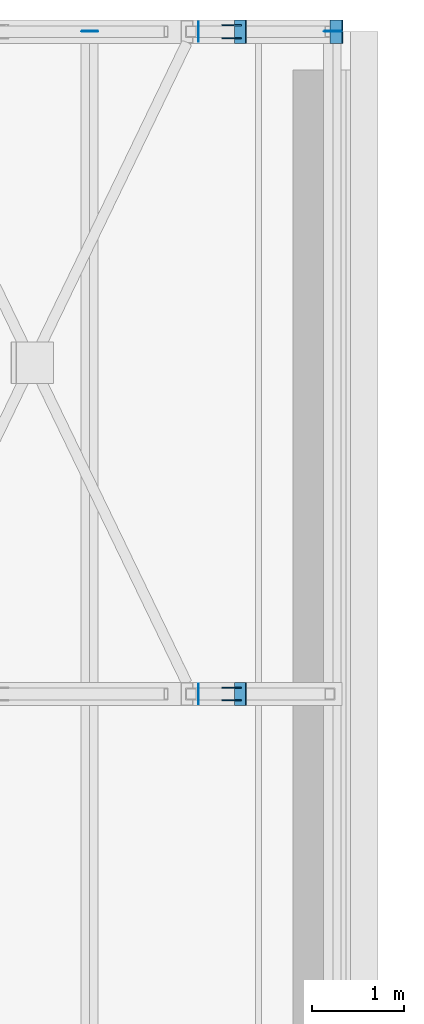
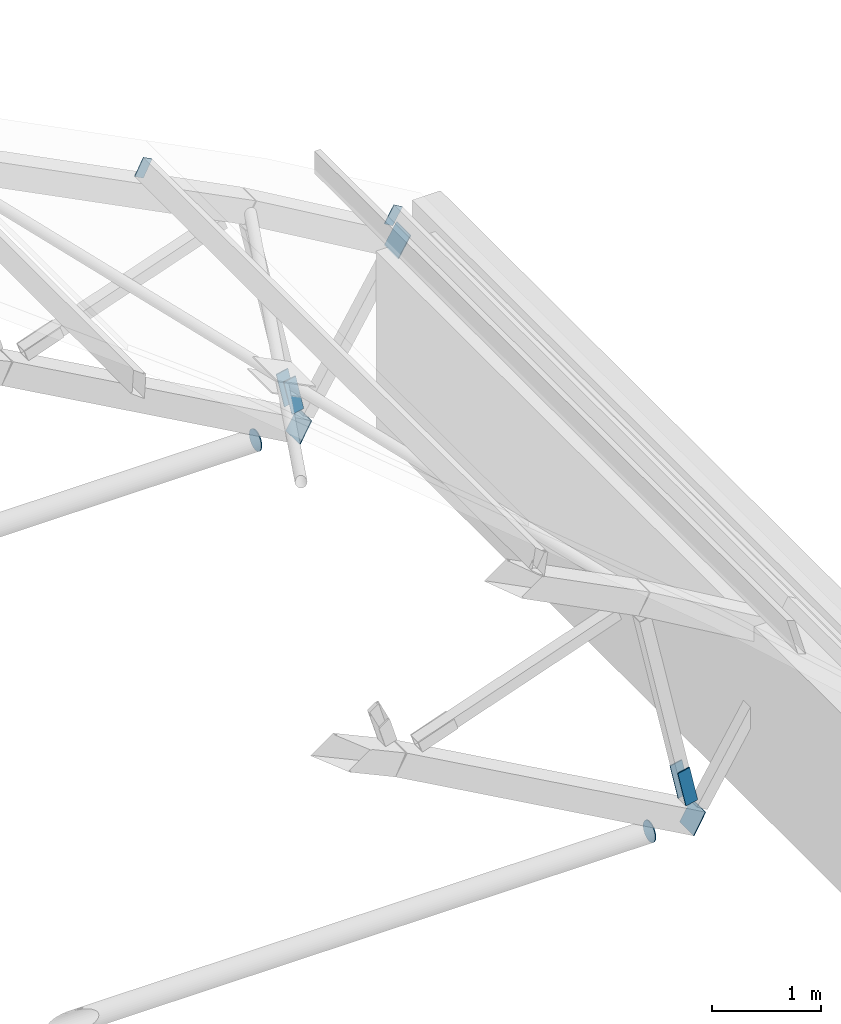
# One storey, part 108 of 127: 11 discrete accessories.
"""IFC4 building model written with IfcOpenShell, lengths in metres."""

import ifcopenshell
import ifcopenshell.guid

model = None  # the IFC model being written
_history = None  # IfcOwnerHistory: only IFC2X3 demands one
_inside = {}  # id of a spatial element -> (the spatial element, [elements in it])
_under = {}  # id of a project, library or spatial element -> (it, [spatial elements below it])
_declared = {}  # id of a project -> (the project, [libraries it declares])
_typed = {}  # id of a type object -> (the type object, [elements of that type])
_made_of = {}  # id of a material, layer set ... -> (it, [elements and type objects made of it])


def new_model(schema):
    """Start an empty IFC model of exactly this schema.

    Asked for "IFC4X3", IfcOpenShell would pick the latest addendum, in which some entities
    have other attributes; the version numbers below select the first issue.
    IFC2X3 requires an IfcOwnerHistory on every rooted entity: one is made here for all.
    """
    global model, _history
    if schema == "IFC4X3":
        model = ifcopenshell.file(schema_version=(4, 3, 0, 0))
    else:
        model = ifcopenshell.file(schema=schema)
    _inside.clear()
    _under.clear()
    _declared.clear()
    _typed.clear()
    _made_of.clear()
    _history = None
    if model.schema == "IFC2X3":
        org = make("IfcOrganization", Name="unknown")
        user = make(
            "IfcPersonAndOrganization",
            ThePerson=make("IfcPerson", FamilyName="unknown"),
            TheOrganization=org,
        )
        app = make(
            "IfcApplication",
            ApplicationDeveloper=org,
            Version="unknown",
            ApplicationFullName="unknown",
            ApplicationIdentifier="unknown",
        )
        _history = make(
            "IfcOwnerHistory",
            OwningUser=user,
            OwningApplication=app,
            ChangeAction="ADDED",
            CreationDate=0,
        )
    return model


def make(cls, **values):
    """One entity of the class cls with the attributes given. An attribute that is None is left unset."""
    return model.create_entity(
        cls, **{name: value for name, value in values.items() if value is not None}
    )


def rooted(cls, **values):
    """An entity with a GlobalId (a new one), such as an element, a storey or a relation."""
    return make(cls, GlobalId=ifcopenshell.guid.new(), OwnerHistory=_history, **values)


def si_unit(unit_type, name, prefix=None):
    """IfcSIUnit, for example si_unit("LENGTHUNIT", "METRE", prefix="MILLI")."""
    return make("IfcSIUnit", UnitType=unit_type, Prefix=prefix, Name=name)


def assignment(units):
    """IfcUnitAssignment: the units of a project."""
    return None if units is None else make("IfcUnitAssignment", Units=units)


def point(xyz):
    """IfcCartesianPoint."""
    return None if xyz is None else make("IfcCartesianPoint", Coordinates=xyz)


def direction(xyz):
    """IfcDirection."""
    return None if xyz is None else make("IfcDirection", DirectionRatios=xyz)


def frame(location, z_axis=None, x_axis=None):
    """IfcAxis2Placement3D, a coordinate frame: its origin and axes. An axis left out is left unset."""
    return make(
        "IfcAxis2Placement3D",
        Location=point(location),
        Axis=direction(z_axis),
        RefDirection=direction(x_axis),
    )


def frame_2d(location, x_axis=None):
    """IfcAxis2Placement2D, a coordinate frame in the plane: its origin and x axis."""
    return make(
        "IfcAxis2Placement2D", Location=point(location), RefDirection=direction(x_axis)
    )


def origin():
    """The frame at (0, 0, 0) with its axes left unset."""
    return frame((0.0, 0.0, 0.0))


def origin_2d():
    """The frame at (0, 0) in the plane with its x axis left unset."""
    return frame_2d((0.0, 0.0))


def place(relative_to, where):
    """IfcLocalPlacement: puts the frame where relative to a parent placement (None: the world)."""
    return make(
        "IfcLocalPlacement", PlacementRelTo=relative_to, RelativePlacement=where
    )


def context(
    kind, dimensions, precision=None, world=None, true_north=None, identifier=None
):
    """IfcGeometricRepresentationContext, for example the 3D "Model" context."""
    return make(
        "IfcGeometricRepresentationContext",
        ContextIdentifier=identifier,
        ContextType=kind,
        CoordinateSpaceDimension=dimensions,
        Precision=precision,
        WorldCoordinateSystem=world,
        TrueNorth=true_north,
    )


def subcontext(parent, identifier, kind, view, scale=None):
    """IfcGeometricRepresentationSubContext, for example "Body" below "Model"."""
    return make(
        "IfcGeometricRepresentationSubContext",
        ContextIdentifier=identifier,
        ContextType=kind,
        ParentContext=parent,
        TargetScale=scale,
        TargetView=view,
    )


def project(units=None, contexts=None):
    """IfcProject with its units and contexts."""
    return rooted(
        "IfcProject",
        Name="project",
        RepresentationContexts=contexts,
        UnitsInContext=assignment(units),
    )


def spatial(cls, under=None, at=None, **own):
    """A site, building, storey or space (cls), placed at a placement, below another one or the project."""
    s = rooted(cls, ObjectPlacement=at, **own)
    if under is not None:
        _under.setdefault(under.id(), (under, []))[1].append(s)
    return s


def profile(cls, at=None, kind="AREA", **sizes):
    """A parametric profile (cls). Its sizes go by their IFC names, for example OverallWidth=200.0."""
    return make(cls, ProfileType=kind, Position=at, **sizes)


def rectangle(**sizes):
    """IfcRectangleProfileDef."""
    return profile("IfcRectangleProfileDef", **sizes)


def circle(**sizes):
    """IfcCircleProfileDef."""
    return profile("IfcCircleProfileDef", **sizes)


def extrude(swept, where, along, depth):
    """IfcExtrudedAreaSolid: the profile swept, set in the frame where, extruded along a direction by depth."""
    return make(
        "IfcExtrudedAreaSolid",
        SweptArea=swept,
        Position=where,
        ExtrudedDirection=direction(along),
        Depth=depth,
    )


def shape(context_of_items, identifier, shape_type, items):
    """IfcShapeRepresentation: the items that make up one representation, for example the "Body"."""
    return make(
        "IfcShapeRepresentation",
        ContextOfItems=context_of_items,
        RepresentationIdentifier=identifier,
        RepresentationType=shape_type,
        Items=items,
    )


def material(Name=None, Category=None):
    """IfcMaterial."""
    return make("IfcMaterial", Name=Name, Category=Category)


def material_profile(
    of_material, cross_section, Name=None, Category=None, Priority=None
):
    """IfcMaterialProfile: a cross section and its material."""
    return make(
        "IfcMaterialProfile",
        Name=Name,
        Material=of_material,
        Profile=cross_section,
        Priority=Priority,
        Category=Category,
    )


def profile_set(profiles, Name=None, composite=None):
    """IfcMaterialProfileSet."""
    return make(
        "IfcMaterialProfileSet",
        Name=Name,
        MaterialProfiles=profiles,
        CompositeProfile=composite,
    )


def made_of(thing, what):
    """Note that an element or type object is made of a material, layer set ...; save() writes the relation."""
    if what is not None:
        _made_of.setdefault(what.id(), (what, []))[1].append(thing)
    return thing


def type_object(cls, material=None, **own):
    """A type object (cls), such as IfcWallType, which elements share."""
    return made_of(rooted(cls, **own), material)


def element(
    cls,
    number,
    at=None,
    inside=None,
    cuts=None,
    type_object=None,
    material=None,
    context=None,
    identifier="Body",
    shape_type=None,
    held_by="IfcProductDefinitionShape",
    body=None,
    shapes=None,
    **own,
):
    """One element of the class cls, such as IfcWall. Its Tag is "e" and its number.

    at: its placement. inside: the storey or other place that contains it. cuts: it is an
    opening in that element (IfcRelVoidsElement). A single representation is given by context,
    identifier, shape_type and body (its items); several are given by shapes. held_by: the class
    of the entity that holds the representations. save() writes the other relations.
    """
    e = rooted(cls, Tag="e%d" % number, ObjectPlacement=at, **own)
    if body is not None:
        shapes = [shape(context, identifier, shape_type, body)]
    if shapes is not None:
        e.Representation = make(held_by, Representations=shapes)
    if inside is not None:
        _inside.setdefault(inside.id(), (inside, []))[1].append(e)
    if cuts is not None:
        rooted(
            "IfcRelVoidsElement", RelatingBuildingElement=cuts, RelatedOpeningElement=e
        )
    if type_object is not None:
        _typed.setdefault(type_object.id(), (type_object, []))[1].append(e)
    return made_of(e, material)


def aggregate(whole, parts):
    """IfcRelAggregates: a whole, such as a stair, and the parts it consists of."""
    return rooted("IfcRelAggregates", RelatingObject=whole, RelatedObjects=parts)


def save(model, path):
    """Write the relations noted so far, then the file.

    IfcRelAggregates (storeys below a building ...), IfcRelContainedInSpatialStructure (elements
    in a storey), IfcRelDefinesByType, IfcRelAssociatesMaterial and IfcRelDeclares: one each for
    every whole, place, type object, material and project.
    """
    for whole, parts in _under.values():
        aggregate(whole, parts)
    for where, things in _inside.values():
        rooted(
            "IfcRelContainedInSpatialStructure",
            RelatedElements=things,
            RelatingStructure=where,
        )
    for kind, things in _typed.values():
        rooted("IfcRelDefinesByType", RelatedObjects=things, RelatingType=kind)
    for what, things in _made_of.values():
        rooted("IfcRelAssociatesMaterial", RelatedObjects=things, RelatingMaterial=what)
    for by, libraries in _declared.values():
        rooted("IfcRelDeclares", RelatingContext=by, RelatedDefinitions=libraries)
    model.write(path)


model = new_model("IFC4")

# Units and contexts
model_context = context("Model", 3, precision=1e-05, world=origin(), true_north=direction((0.0, 1.0)))
body_context = subcontext(model_context, "Body", "Model", "MODEL_VIEW")
ifc_project = project(units=[si_unit("LENGTHUNIT", "METRE"), si_unit("AREAUNIT", "SQUARE_METRE"), si_unit("VOLUMEUNIT", "CUBIC_METRE"), si_unit("PLANEANGLEUNIT", "RADIAN"), si_unit("MASSUNIT", "GRAM", prefix="KILO")], contexts=[model_context])

# Site, building, storey
site_placement = place(None, origin())
site = spatial("IfcSite", under=ifc_project, at=site_placement, CompositionType="ELEMENT")
building_placement = place(site_placement, origin())
building = spatial("IfcBuilding", under=site, at=building_placement, Name="Verrick Yard Athletic Hall", CompositionType="ELEMENT")
storey_placement = place(building_placement, frame((0.0, 0.0, 14.0)))
storey = spatial("IfcBuildingStorey", under=building, at=storey_placement, Name="L03", CompositionType="ELEMENT", Elevation=14.0)

# Discrete accessories
ifc_material = material(Name="Structural steel 350W (CSA G40.21)", Category="steel")
ifc_material_profile_1 = material_profile(ifc_material, rectangle(XDim=0.39990234375, YDim=0.126953125, at=origin_2d()), Name="Brace end cheek plate")
ifc_profile_set_1 = profile_set([ifc_material_profile_1], Name="Structural steel 350W (CSA G40.21)")
discrete_accessory_type_1 = type_object("IfcDiscreteAccessoryType", Name="Brace end cheek plate 400x127x12", PredefinedType="BRACKET", material=ifc_profile_set_1)
for number, where, z_axis, x_axis, name in (
    (1, (75.908935546875, 100.736572265625, 0.416015625), (0.0, -1.0, 0.0), (-0.213605450371, 0.0, 0.976920012883), "Truss web end plate TB5-28 1"),
    (2, (75.908935546875, 100.863525390625, 0.416015625), (0.0, 1.0, 0.0), (-0.213605450371, 0.0, 0.976920012883), "Truss web end plate TB5-28 2"),
    (3, (75.908935546875, 107.9365234375, 0.416015625), (0.0, -1.0, 0.0), (-0.213605450371, 0.0, 0.976920012883), "Truss web end plate TB6-28 1"),
    (4, (75.908935546875, 108.0634765625, 0.416015625), (0.0, 1.0, 0.0), (-0.213605450371, 0.0, 0.976920012883), "Truss web end plate TB6-28 2"),
):
    element("IfcDiscreteAccessory", number, at=place(storey_placement, frame(where, z_axis=z_axis, x_axis=x_axis)), inside=storey, type_object=discrete_accessory_type_1, Name=name, PredefinedType="BRACKET", context=body_context, shape_type="SweptSolid", body=[
        extrude(rectangle(XDim=0.39990234375, YDim=0.126953125, at=origin_2d()), origin(), (0.0, 0.0, 1.0), 0.011962890625),
    ])
ifc_material_profile_2 = material_profile(ifc_material, rectangle(XDim=0.1015625, YDim=0.203125, at=origin_2d()), Name="STR End cap plate 203x102x9.5")
ifc_profile_set_2 = profile_set([ifc_material_profile_2], Name="Structural steel 350W (CSA G40.21)")
discrete_accessory_type_2 = type_object("IfcDiscreteAccessoryType", Name="STR End cap plate 203x102x9.5", PredefinedType="BRACKET", material=ifc_profile_set_2)
for number, where, z_axis, x_axis, name in (
    (5, (77.003173828125, 108.0, 1.99462890625), (0.0, 1.0, 0.0), (-0.86316809178, 0.0, 0.504916671673), "End cap HB-PU-B-5-18 B"),
    (6, (74.365234375, 108.0, 3.44873046875), (0.0, 1.0, 0.0), (-0.891352741199, 0.0, 0.453310369126), "End cap HB-PU-B-5-17 B"),
):
    element("IfcDiscreteAccessory", number, at=place(storey_placement, frame(where, z_axis=z_axis, x_axis=x_axis)), inside=storey, type_object=discrete_accessory_type_2, Name=name, PredefinedType="BRACKET", context=body_context, shape_type="SweptSolid", body=[
        extrude(rectangle(XDim=0.1015625, YDim=0.203125, at=origin_2d()), origin(), (0.0, 0.0, 1.0), 0.010009765625),
    ])
ifc_material_profile_3 = material_profile(ifc_material, rectangle(XDim=0.25390625, YDim=0.25390625, at=origin_2d()), Name="STR End cap plate 254x254x9.5")
ifc_profile_set_3 = profile_set([ifc_material_profile_3], Name="Structural steel 350W (CSA G40.21)")
discrete_accessory_type_3 = type_object("IfcDiscreteAccessoryType", Name="STR End cap plate 254x254x9.5", PredefinedType="BRACKET", material=ifc_profile_set_3)
for number, where, z_axis, x_axis, name in (
    (7, (77.04345703125, 108.0, 1.706298828125), (0.857492925713, 0.0, -0.514495755428), (0.0, 1.0, 0.0), "End cap Truss TB6 top chord 15 B"),
    (8, (76.0, 108.0, 0.0), (0.874157276122, 0.0, -0.485642931179), (0.0, 1.0, 0.0), "End cap Truss TB6 bottom chord 14 B"),
    (9, (76.0, 100.800048828125, 0.0), (0.874157276122, 0.0, -0.485642931179), (0.0, 1.0, 0.0), "End cap Truss TB5 bottom chord 14 B"),
):
    element("IfcDiscreteAccessory", number, at=place(storey_placement, frame(where, z_axis=z_axis, x_axis=x_axis)), inside=storey, type_object=discrete_accessory_type_3, Name=name, PredefinedType="BRACKET", context=body_context, shape_type="SweptSolid", body=[
        extrude(rectangle(XDim=0.25390625, YDim=0.25390625, at=origin_2d()), origin(), (0.0, 0.0, 1.0), 0.010009765625),
    ])
ifc_material_profile_4 = material_profile(ifc_material, circle(Radius=0.109619140625, at=origin_2d()), Name="STR End cap plate 219x13")
ifc_profile_set_4 = profile_set([ifc_material_profile_4], Name="Structural steel 350W (CSA G40.21)")
discrete_accessory_type_4 = type_object("IfcDiscreteAccessoryType", Name="STR End cap plate 219x13", PredefinedType="BRACKET", material=ifc_profile_set_4)
for number, where, z_axis, x_axis, name in (
    (10, (75.543701171875, 108.0, 0.0), (1.0, 0.0, 0.0), (0.0, 1.0, 0.0), "End cap Truss TB6 tie 1 B"),
    (11, (75.543701171875, 100.800048828125, 0.0), (1.0, 0.0, 0.0), (0.0, 1.0, 0.0), "End cap Truss TB5 tie 1 B"),
):
    element("IfcDiscreteAccessory", number, at=place(storey_placement, frame(where, z_axis=z_axis, x_axis=x_axis)), inside=storey, type_object=discrete_accessory_type_4, Name=name, PredefinedType="BRACKET", context=body_context, shape_type="SweptSolid", body=[
        extrude(circle(Radius=0.109619140625, at=origin_2d()), origin(), (0.0, 0.0, 1.0), 0.010009765625),
    ])

save(model, "model.ifc")
